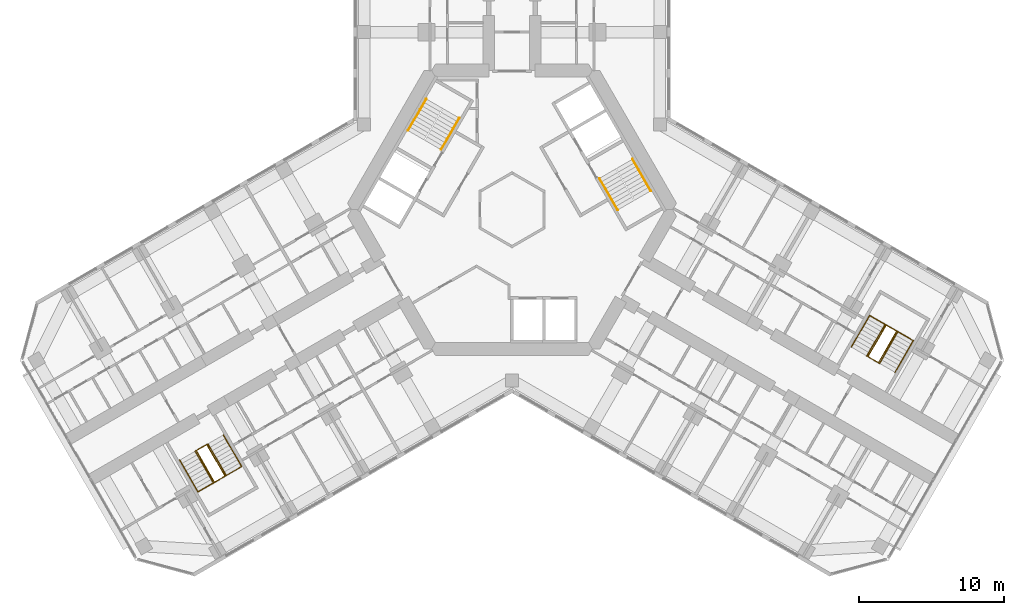
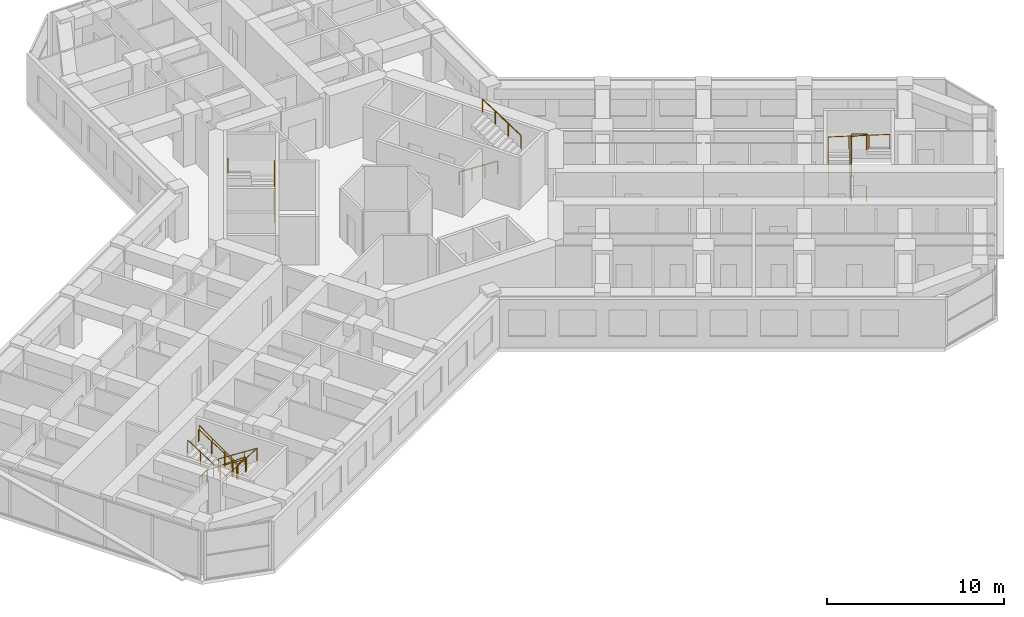
# One storey, part 19 of 19: 10 railings.
"""IFC4 building model written with IfcOpenShell, lengths in metres."""

from ifc_helpers import new_model, si_unit, direction, frame, origin, origin_2d, place, context, subcontext, project, spatial, circle, extrude, material, type_object, element, save


model = new_model("IFC4")

# Units and contexts
model_context = context("Model", 3, precision=1e-05, world=origin(), true_north=direction((0.0, 1.0)))
body_context = subcontext(model_context, "Body", "Model", "MODEL_VIEW")
ifc_project = project(units=[si_unit("LENGTHUNIT", "METRE"), si_unit("AREAUNIT", "SQUARE_METRE"), si_unit("VOLUMEUNIT", "CUBIC_METRE"), si_unit("PLANEANGLEUNIT", "RADIAN"), si_unit("MASSUNIT", "GRAM", prefix="KILO")], contexts=[model_context])

# Site, building, storey
site_placement = place(None, origin())
site = spatial("IfcSite", under=ifc_project, at=site_placement, CompositionType="ELEMENT")
building_placement = place(site_placement, origin())
building = spatial("IfcBuilding", under=site, at=building_placement, Name="Kosmar Iwan School Tower", CompositionType="ELEMENT")
storey_placement = place(building_placement, frame((0.0, 0.0, 172.39990234375)))
storey = spatial("IfcBuildingStorey", under=building, at=storey_placement, Name="L43", CompositionType="ELEMENT", Elevation=172.39990234375)

# Railings
ifc_material_1 = material(Name="Black steel", Category="steel")
railing_type_1 = type_object("IfcRailingType", Name="Stair handrail 900", PredefinedType="HANDRAIL", material=ifc_material_1)
railing_1_placement = place(storey_placement, frame((-4.89453125, 4.142333984375, 0.18017578125)))
element("IfcRailing", 1, at=railing_1_placement, inside=storey, type_object=railing_type_1, Name="Handrail ST2 flight 1", PredefinedType="HANDRAIL", context=body_context, shape_type="SweptSolid", body=[
    extrude(circle(Radius=0.02392578125, at=origin_2d()), frame((0.0, 0.0, 0.8759765625), z_axis=(0.42060268101, 0.72849590497, 0.54072830624), x_axis=(-0.866022637375, 0.500004791531, 0.0)), (0.0, 0.0, 1.0), 2.99560546875),
    extrude(circle(Radius=0.02099609375, at=origin_2d()), origin(), (0.0, 0.0, 1.0), 0.851806640625),
    extrude(circle(Radius=0.02099609375, at=origin_2d()), frame((0.419921875, 0.7275390625, 0.5400390625)), (0.0, 0.0, 1.0), 0.851806640625),
    extrude(circle(Radius=0.02099609375, at=origin_2d()), frame((0.840087890625, 1.454833984375, 1.079833984375)), (0.0, 0.0, 1.0), 0.851806640625),
    extrude(circle(Radius=0.02099609375, at=origin_2d()), frame((1.260009765625, 2.182373046875, 1.619873046875)), (0.0, 0.0, 1.0), 0.851806640625),
])
railing_2_placement = place(storey_placement, frame((-5.912353515625, 7.6396484375, 1.97998046875)))
element("IfcRailing", 2, at=railing_2_placement, inside=storey, type_object=railing_type_1, Name="Handrail ST2 flight 2", PredefinedType="HANDRAIL", context=body_context, shape_type="SweptSolid", body=[
    extrude(circle(Radius=0.02392578125, at=origin_2d()), frame((0.0, 0.0, 0.8759765625), z_axis=(-0.420584145978, -0.728463801763, 0.540785970299), x_axis=(0.866022637375, -0.500004791531, 0.0)), (0.0, 0.0, 1.0), 2.995849609375),
    extrude(circle(Radius=0.02099609375, at=origin_2d()), origin(), (0.0, 0.0, 1.0), 0.851806640625),
    extrude(circle(Radius=0.02099609375, at=origin_2d()), frame((-0.419921875, -0.7275390625, 0.5400390625)), (0.0, 0.0, 1.0), 0.851806640625),
    extrude(circle(Radius=0.02099609375, at=origin_2d()), frame((-0.840087890625, -1.454833984375, 1.080078125)), (0.0, 0.0, 1.0), 0.851806640625),
    extrude(circle(Radius=0.02099609375, at=origin_2d()), frame((-1.260009765625, -2.182373046875, 1.6201171875)), (0.0, 0.0, 1.0), 0.851806640625),
])
railing_3_placement = place(storey_placement, frame((6.03466796875, 2.167724609375, 0.18017578125)))
element("IfcRailing", 3, at=railing_3_placement, inside=storey, type_object=railing_type_1, Name="Handrail ST1 flight 1", PredefinedType="HANDRAIL", context=body_context, shape_type="SweptSolid", body=[
    extrude(circle(Radius=0.02392578125, at=origin_2d()), frame((0.0, 0.0, 0.8759765625), z_axis=(0.42060268101, -0.72849590497, 0.54072830624), x_axis=(0.866022637375, 0.500004791531, 0.0)), (0.0, 0.0, 1.0), 2.99560546875),
    extrude(circle(Radius=0.02099609375, at=origin_2d()), origin(), (0.0, 0.0, 1.0), 0.851806640625),
    extrude(circle(Radius=0.02099609375, at=origin_2d()), frame((0.419921875, -0.7275390625, 0.5400390625)), (0.0, 0.0, 1.0), 0.851806640625),
    extrude(circle(Radius=0.02099609375, at=origin_2d()), frame((0.840087890625, -1.454833984375, 1.079833984375)), (0.0, 0.0, 1.0), 0.851806640625),
    extrude(circle(Radius=0.02099609375, at=origin_2d()), frame((1.260009765625, -2.182373046875, 1.619873046875)), (0.0, 0.0, 1.0), 0.851806640625),
])
railing_4_placement = place(storey_placement, frame((9.572265625, 1.30029296875, 1.97998046875)))
element("IfcRailing", 4, at=railing_4_placement, inside=storey, type_object=railing_type_1, Name="Handrail ST1 flight 2", PredefinedType="HANDRAIL", context=body_context, shape_type="SweptSolid", body=[
    extrude(circle(Radius=0.02392578125, at=origin_2d()), frame((0.0, 0.0, 0.8759765625), z_axis=(-0.420584145978, 0.728463801763, 0.540785970299), x_axis=(-0.866022637375, -0.500004791531, 0.0)), (0.0, 0.0, 1.0), 2.995849609375),
    extrude(circle(Radius=0.02099609375, at=origin_2d()), origin(), (0.0, 0.0, 1.0), 0.851806640625),
    extrude(circle(Radius=0.02099609375, at=origin_2d()), frame((-0.419921875, 0.7275390625, 0.5400390625)), (0.0, 0.0, 1.0), 0.851806640625),
    extrude(circle(Radius=0.02099609375, at=origin_2d()), frame((-0.840087890625, 1.454833984375, 1.080078125)), (0.0, 0.0, 1.0), 0.851806640625),
    extrude(circle(Radius=0.02099609375, at=origin_2d()), frame((-1.260009765625, 2.182373046875, 1.6201171875)), (0.0, 0.0, 1.0), 0.851806640625),
])
railing_5_placement = place(storey_placement, frame((-19.9091796875, -15.5361328125, 0.18017578125)))
element("IfcRailing", 5, at=railing_5_placement, inside=storey, type_object=railing_type_1, Name="Handrail stair WS2 L43 wall side", PredefinedType="HANDRAIL", context=body_context, shape_type="SweptSolid", body=[
    extrude(circle(Radius=0.02392578125, at=origin_2d()), frame((0.0, 0.0, 0.8759765625), z_axis=(0.420535598452, -0.728520874915, 0.540746840257), x_axis=(0.866064587494, 0.499932125682, 0.0)), (0.0, 0.0, 1.0), 2.99560546875),
    extrude(circle(Radius=0.02392578125, at=origin_2d()), frame((1.259765625, -2.182373046875, 2.49560546875), z_axis=(-0.864864352349, -0.499342858003, 0.051636829851), x_axis=(0.500009906705, -0.86601968407, 0.0)), (0.0, 0.0, 1.0), 3.484619140625),
    extrude(circle(Radius=0.02392578125, at=origin_2d()), frame((-1.75390625, -3.92236328125, 2.67578125), z_axis=(-0.420584145978, 0.728463801763, 0.540785970299), x_axis=(-0.866022637375, -0.500004791531, 0.0)), (0.0, 0.0, 1.0), 2.995849609375),
    extrude(circle(Radius=0.02099609375, at=origin_2d()), origin(), (0.0, 0.0, 1.0), 0.851806640625),
    extrude(circle(Radius=0.02099609375, at=origin_2d()), frame((0.419921875, -0.7275390625, 0.5400390625)), (0.0, 0.0, 1.0), 0.851806640625),
    extrude(circle(Radius=0.02099609375, at=origin_2d()), frame((0.83984375, -1.454833984375, 1.079833984375)), (0.0, 0.0, 1.0), 0.851806640625),
    extrude(circle(Radius=0.02099609375, at=origin_2d()), frame((1.259765625, -2.182373046875, 1.619873046875)), (0.0, 0.0, 1.0), 0.851806640625),
    extrude(circle(Radius=0.02099609375, at=origin_2d()), frame((0.255126953125, -2.762451171875, 1.679931640625)), (0.0, 0.0, 1.0), 0.851806640625),
    extrude(circle(Radius=0.02099609375, at=origin_2d()), frame((-0.749267578125, -3.34228515625, 1.73974609375)), (0.0, 0.0, 1.0), 0.851806640625),
    extrude(circle(Radius=0.02099609375, at=origin_2d()), frame((-1.75390625, -3.92236328125, 1.7998046875)), (0.0, 0.0, 1.0), 0.851806640625),
    extrude(circle(Radius=0.02099609375, at=origin_2d()), frame((-2.173828125, -3.19482421875, 2.33984375)), (0.0, 0.0, 1.0), 0.851806640625),
    extrude(circle(Radius=0.02099609375, at=origin_2d()), frame((-2.593994140625, -2.467529296875, 2.8798828125)), (0.0, 0.0, 1.0), 0.851806640625),
    extrude(circle(Radius=0.02099609375, at=origin_2d()), frame((-3.013916015625, -1.739990234375, 3.419921875)), (0.0, 0.0, 1.0), 0.851806640625),
])
railing_6_placement = place(storey_placement, frame((-20.974609375, -16.151123046875, 0.18017578125)))
element("IfcRailing", 6, at=railing_6_placement, inside=storey, type_object=railing_type_1, Name="Handrail stair WS2 L43 well side", PredefinedType="HANDRAIL", context=body_context, shape_type="SweptSolid", body=[
    extrude(circle(Radius=0.02392578125, at=origin_2d()), frame((0.0, 0.0, 0.8759765625), z_axis=(0.42060268101, -0.72849590497, 0.54072830624), x_axis=(0.866022637375, 0.500004791531, 0.0)), (0.0, 0.0, 1.0), 2.99560546875),
    extrude(circle(Radius=0.02392578125, at=origin_2d()), frame((1.260009765625, -2.182373046875, 2.49560546875), z_axis=(-0.852841519511, -0.492422867401, 0.173726976197), x_axis=(0.500026340207, -0.866010195725, 0.0)), (0.0, 0.0, 1.0), 1.03564453125),
    extrude(circle(Radius=0.02392578125, at=origin_2d()), frame((0.376708984375, -2.6923828125, 2.67578125), z_axis=(-0.420584145978, 0.728463801763, 0.540785970299), x_axis=(-0.866022637375, -0.500004791531, 0.0)), (0.0, 0.0, 1.0), 2.995849609375),
    extrude(circle(Radius=0.02099609375, at=origin_2d()), origin(), (0.0, 0.0, 1.0), 0.851806640625),
    extrude(circle(Radius=0.02099609375, at=origin_2d()), frame((0.419921875, -0.7275390625, 0.5400390625)), (0.0, 0.0, 1.0), 0.851806640625),
    extrude(circle(Radius=0.02099609375, at=origin_2d()), frame((0.840087890625, -1.454833984375, 1.079833984375)), (0.0, 0.0, 1.0), 0.851806640625),
    extrude(circle(Radius=0.02099609375, at=origin_2d()), frame((1.260009765625, -2.182373046875, 1.619873046875)), (0.0, 0.0, 1.0), 0.851806640625),
    extrude(circle(Radius=0.02099609375, at=origin_2d()), frame((0.376708984375, -2.6923828125, 1.7998046875)), (0.0, 0.0, 1.0), 0.851806640625),
    extrude(circle(Radius=0.02099609375, at=origin_2d()), frame((-0.043212890625, -1.96484375, 2.33984375)), (0.0, 0.0, 1.0), 0.851806640625),
    extrude(circle(Radius=0.02099609375, at=origin_2d()), frame((-0.46337890625, -1.237548828125, 2.8798828125)), (0.0, 0.0, 1.0), 0.851806640625),
    extrude(circle(Radius=0.02099609375, at=origin_2d()), frame((-0.88330078125, -0.510009765625, 3.419921875)), (0.0, 0.0, 1.0), 0.851806640625),
])
railing_7_placement = place(storey_placement, frame((23.4091796875, -9.473876953125, 0.18017578125)))
element("IfcRailing", 7, at=railing_7_placement, inside=storey, type_object=railing_type_1, Name="Handrail stair WS3 L43 wall side", PredefinedType="HANDRAIL", context=body_context, shape_type="SweptSolid", body=[
    extrude(circle(Radius=0.02392578125, at=origin_2d()), frame((0.0, 0.0, 0.8759765625), z_axis=(0.42060268101, 0.72849590497, 0.54072830624), x_axis=(-0.866022637375, 0.500004791531, 0.0)), (0.0, 0.0, 1.0), 2.99560546875),
    extrude(circle(Radius=0.02392578125, at=origin_2d()), frame((1.260009765625, 2.182373046875, 2.49560546875), z_axis=(0.864882007433, -0.499312601618, 0.051633701051), x_axis=(0.499979528911, 0.866037222451, 0.0)), (0.0, 0.0, 1.0), 3.48486328125),
    extrude(circle(Radius=0.02392578125, at=origin_2d()), frame((4.27392578125, 0.4423828125, 2.67578125), z_axis=(-0.420584145978, -0.728463801763, 0.540785970299), x_axis=(0.866022637375, -0.500004791531, 0.0)), (0.0, 0.0, 1.0), 2.995849609375),
    extrude(circle(Radius=0.02099609375, at=origin_2d()), origin(), (0.0, 0.0, 1.0), 0.851806640625),
    extrude(circle(Radius=0.02099609375, at=origin_2d()), frame((0.419921875, 0.7275390625, 0.5400390625)), (0.0, 0.0, 1.0), 0.851806640625),
    extrude(circle(Radius=0.02099609375, at=origin_2d()), frame((0.840087890625, 1.454833984375, 1.079833984375)), (0.0, 0.0, 1.0), 0.851806640625),
    extrude(circle(Radius=0.02099609375, at=origin_2d()), frame((1.260009765625, 2.182373046875, 1.619873046875)), (0.0, 0.0, 1.0), 0.851806640625),
    extrude(circle(Radius=0.02099609375, at=origin_2d()), frame((2.2646484375, 1.602294921875, 1.679931640625)), (0.0, 0.0, 1.0), 0.851806640625),
    extrude(circle(Radius=0.02099609375, at=origin_2d()), frame((3.269287109375, 1.0224609375, 1.73974609375)), (0.0, 0.0, 1.0), 0.851806640625),
    extrude(circle(Radius=0.02099609375, at=origin_2d()), frame((4.27392578125, 0.4423828125, 1.7998046875)), (0.0, 0.0, 1.0), 0.851806640625),
    extrude(circle(Radius=0.02099609375, at=origin_2d()), frame((3.85400390625, -0.28515625, 2.33984375)), (0.0, 0.0, 1.0), 0.851806640625),
    extrude(circle(Radius=0.02099609375, at=origin_2d()), frame((3.433837890625, -1.012451171875, 2.8798828125)), (0.0, 0.0, 1.0), 0.851806640625),
    extrude(circle(Radius=0.02099609375, at=origin_2d()), frame((3.013916015625, -1.739990234375, 3.419921875)), (0.0, 0.0, 1.0), 0.851806640625),
])
railing_8_placement = place(storey_placement, frame((24.474609375, -10.0888671875, 0.18017578125)))
element("IfcRailing", 8, at=railing_8_placement, inside=storey, type_object=railing_type_1, Name="Handrail stair WS3 L43 well side", PredefinedType="HANDRAIL", context=body_context, shape_type="SweptSolid", body=[
    extrude(circle(Radius=0.02392578125, at=origin_2d()), frame((0.0, 0.0, 0.8759765625), z_axis=(0.42060268101, 0.72849590497, 0.54072830624), x_axis=(-0.866022637375, 0.500004791531, 0.0)), (0.0, 0.0, 1.0), 2.99560546875),
    extrude(circle(Radius=0.02392578125, at=origin_2d()), frame((1.260009765625, 2.182373046875, 2.49560546875), z_axis=(0.852841519511, -0.492422867401, 0.173726976197), x_axis=(0.500026340207, 0.866010195725, 0.0)), (0.0, 0.0, 1.0), 1.03564453125),
    extrude(circle(Radius=0.02392578125, at=origin_2d()), frame((2.143310546875, 1.67236328125, 2.67578125), z_axis=(-0.420584145978, -0.728463801763, 0.540785970299), x_axis=(0.866022637375, -0.500004791531, 0.0)), (0.0, 0.0, 1.0), 2.995849609375),
    extrude(circle(Radius=0.02099609375, at=origin_2d()), origin(), (0.0, 0.0, 1.0), 0.851806640625),
    extrude(circle(Radius=0.02099609375, at=origin_2d()), frame((0.419921875, 0.7275390625, 0.5400390625)), (0.0, 0.0, 1.0), 0.851806640625),
    extrude(circle(Radius=0.02099609375, at=origin_2d()), frame((0.840087890625, 1.454833984375, 1.079833984375)), (0.0, 0.0, 1.0), 0.851806640625),
    extrude(circle(Radius=0.02099609375, at=origin_2d()), frame((1.260009765625, 2.182373046875, 1.619873046875)), (0.0, 0.0, 1.0), 0.851806640625),
    extrude(circle(Radius=0.02099609375, at=origin_2d()), frame((2.143310546875, 1.67236328125, 1.7998046875)), (0.0, 0.0, 1.0), 0.851806640625),
    extrude(circle(Radius=0.02099609375, at=origin_2d()), frame((1.723388671875, 0.94482421875, 2.33984375)), (0.0, 0.0, 1.0), 0.851806640625),
    extrude(circle(Radius=0.02099609375, at=origin_2d()), frame((1.30322265625, 0.217529296875, 2.8798828125)), (0.0, 0.0, 1.0), 0.851806640625),
    extrude(circle(Radius=0.02099609375, at=origin_2d()), frame((0.88330078125, -0.510009765625, 3.419921875)), (0.0, 0.0, 1.0), 0.851806640625),
])
ifc_material_2 = material(Name="Black steel", Category="steel")
railing_type_2 = type_object("IfcRailingType", Name="Stair well guard 1100", PredefinedType="GUARDRAIL", material=ifc_material_2)
railing_9_placement = place(storey_placement, frame((-21.780029296875, -16.6162109375, 0.0)))
element("IfcRailing", 9, at=railing_9_placement, inside=storey, type_object=railing_type_2, Name="Stair WS2 L43 well guard", PredefinedType="GUARDRAIL", context=body_context, shape_type="SweptSolid", body=[
    extrude(circle(Radius=0.02392578125, at=origin_2d()), frame((0.0, 0.0, 1.076171875), z_axis=(0.865962960534, 0.500108139288, 0.0), x_axis=(-0.500108139288, 0.865962960534, 0.0)), (0.0, 0.0, 1.0), 0.840087890625),
    extrude(circle(Radius=0.02392578125, at=origin_2d()), frame((0.7275390625, 0.420166015625, 1.076171875), z_axis=(0.40686665399, -0.704704712268, 0.58124933925), x_axis=(0.866022637375, 0.500004791531, 0.0)), (0.0, 0.0, 1.0), 3.096923828125),
    extrude(circle(Radius=0.02392578125, at=origin_2d()), frame((1.987548828125, -1.76220703125, 2.8759765625), z_axis=(-0.865962960534, -0.500108139288, 0.0), x_axis=(0.500108139288, -0.865962960534, 0.0)), (0.0, 0.0, 1.0), 0.840087890625),
    extrude(circle(Radius=0.02392578125, at=origin_2d()), frame((1.260009765625, -2.182373046875, 2.8759765625), z_axis=(-0.40686665399, 0.704704712268, 0.58124933925), x_axis=(-0.866022637375, -0.500004791531, 0.0)), (0.0, 0.0, 1.0), 3.096923828125),
    extrude(circle(Radius=0.02099609375, at=origin_2d()), origin(), (0.0, 0.0, 1.0), 1.052001953125),
    extrude(circle(Radius=0.02099609375, at=origin_2d()), frame((0.7275390625, 0.420166015625, 0.0)), (0.0, 0.0, 1.0), 1.052001953125),
    extrude(circle(Radius=0.02099609375, at=origin_2d()), frame((1.1474609375, -0.307373046875, 0.60009765625)), (0.0, 0.0, 1.0), 1.052001953125),
    extrude(circle(Radius=0.02099609375, at=origin_2d()), frame((1.567626953125, -1.03466796875, 1.199951171875)), (0.0, 0.0, 1.0), 1.052001953125),
    extrude(circle(Radius=0.02099609375, at=origin_2d()), frame((1.987548828125, -1.76220703125, 1.800048828125)), (0.0, 0.0, 1.0), 1.052001953125),
    extrude(circle(Radius=0.02099609375, at=origin_2d()), frame((1.260009765625, -2.182373046875, 1.800048828125)), (0.0, 0.0, 1.0), 1.052001953125),
    extrude(circle(Radius=0.02099609375, at=origin_2d()), frame((0.840087890625, -1.454833984375, 2.400146484375)), (0.0, 0.0, 1.0), 1.052001953125),
    extrude(circle(Radius=0.02099609375, at=origin_2d()), frame((0.419921875, -0.7275390625, 3.0)), (0.0, 0.0, 1.0), 1.052001953125),
    extrude(circle(Radius=0.02099609375, at=origin_2d()), frame((0.0, 0.0, 3.60009765625)), (0.0, 0.0, 1.0), 1.052001953125),
])
railing_10_placement = place(storey_placement, frame((25.280029296875, -10.553955078125, 0.0)))
element("IfcRailing", 10, at=railing_10_placement, inside=storey, type_object=railing_type_2, Name="Stair WS3 L43 well guard", PredefinedType="GUARDRAIL", context=body_context, shape_type="SweptSolid", body=[
    extrude(circle(Radius=0.02392578125, at=origin_2d()), frame((0.0, 0.0, 1.076171875), z_axis=(-0.865962960534, 0.500108139288, 0.0), x_axis=(-0.500108139288, -0.865962960534, 0.0)), (0.0, 0.0, 1.0), 0.840087890625),
    extrude(circle(Radius=0.02392578125, at=origin_2d()), frame((-0.7275390625, 0.420166015625, 1.076171875), z_axis=(0.40686665399, 0.704704712268, 0.58124933925), x_axis=(-0.866022637375, 0.500004791531, 0.0)), (0.0, 0.0, 1.0), 3.096923828125),
    extrude(circle(Radius=0.02392578125, at=origin_2d()), frame((0.532470703125, 2.6025390625, 2.8759765625), z_axis=(0.865890253765, -0.500234013672, 0.0), x_axis=(0.500234013672, 0.865890253765, 0.0)), (0.0, 0.0, 1.0), 0.83984375),
    extrude(circle(Radius=0.02392578125, at=origin_2d()), frame((1.259765625, 2.182373046875, 2.8759765625), z_axis=(-0.406800866334, -0.70472731476, 0.58126798207), x_axis=(0.866064587494, -0.499932125682, 0.0)), (0.0, 0.0, 1.0), 3.0966796875),
    extrude(circle(Radius=0.02099609375, at=origin_2d()), origin(), (0.0, 0.0, 1.0), 1.052001953125),
    extrude(circle(Radius=0.02099609375, at=origin_2d()), frame((-0.7275390625, 0.420166015625, 0.0)), (0.0, 0.0, 1.0), 1.052001953125),
    extrude(circle(Radius=0.02099609375, at=origin_2d()), frame((-0.3076171875, 1.147705078125, 0.60009765625)), (0.0, 0.0, 1.0), 1.052001953125),
    extrude(circle(Radius=0.02099609375, at=origin_2d()), frame((0.112548828125, 1.875, 1.199951171875)), (0.0, 0.0, 1.0), 1.052001953125),
    extrude(circle(Radius=0.02099609375, at=origin_2d()), frame((0.532470703125, 2.6025390625, 1.800048828125)), (0.0, 0.0, 1.0), 1.052001953125),
    extrude(circle(Radius=0.02099609375, at=origin_2d()), frame((1.259765625, 2.182373046875, 1.800048828125)), (0.0, 0.0, 1.0), 1.052001953125),
    extrude(circle(Radius=0.02099609375, at=origin_2d()), frame((0.83984375, 1.454833984375, 2.400146484375)), (0.0, 0.0, 1.0), 1.052001953125),
    extrude(circle(Radius=0.02099609375, at=origin_2d()), frame((0.419921875, 0.7275390625, 3.0)), (0.0, 0.0, 1.0), 1.052001953125),
    extrude(circle(Radius=0.02099609375, at=origin_2d()), frame((0.0, 0.0, 3.60009765625)), (0.0, 0.0, 1.0), 1.052001953125),
])

save(model, "model.ifc")
